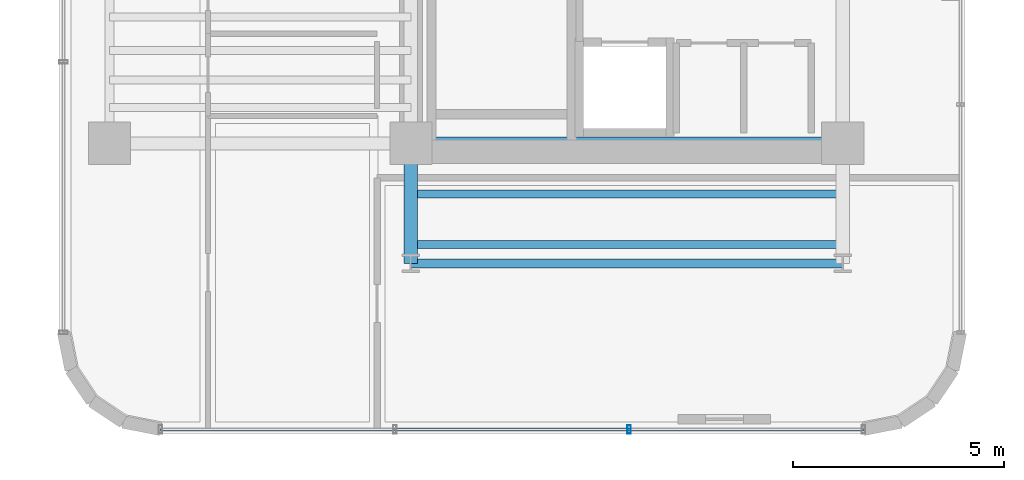
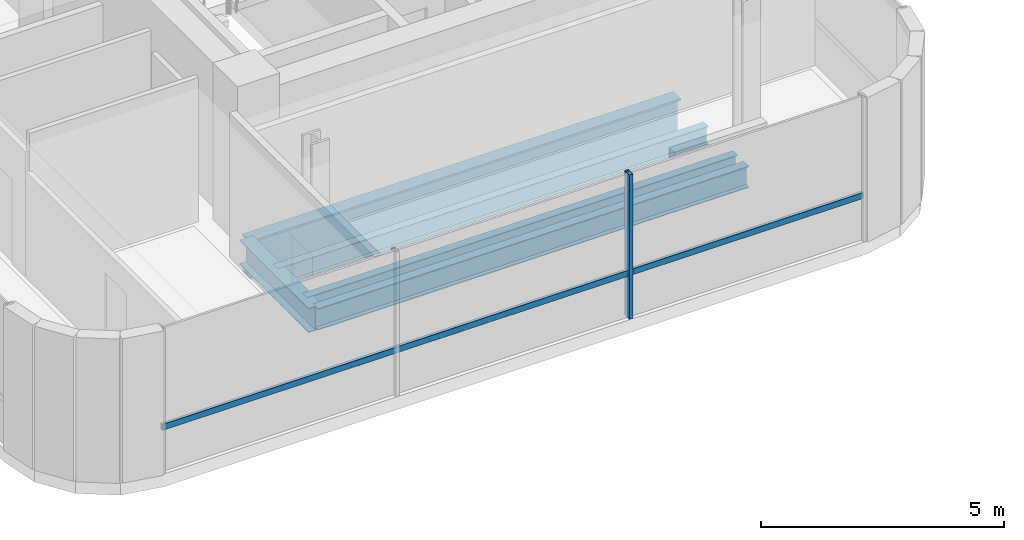
# One storey, part 3 of 39: 5 beams, 2 members, 1 element without a shape of its own.
"""IFC4 building model written with IfcOpenShell, lengths in metres."""

from ifc_helpers import new_model, si_unit, direction, frame, origin, origin_2d, place, context, subcontext, project, spatial, hollow_rectangle, i_section, extrude, source, transform, mapped, material, material_profile, profile_set, type_object, element, aggregate, save


model = new_model("IFC4")

# Units and contexts
model_context = context("Model", 3, precision=1e-05, world=origin(), true_north=direction((0.0, 1.0)))
body_context = subcontext(model_context, "Body", "Model", "MODEL_VIEW")
ifc_project = project(units=[si_unit("LENGTHUNIT", "METRE"), si_unit("AREAUNIT", "SQUARE_METRE"), si_unit("VOLUMEUNIT", "CUBIC_METRE"), si_unit("PLANEANGLEUNIT", "RADIAN"), si_unit("MASSUNIT", "GRAM", prefix="KILO")], contexts=[model_context])

# Site, building, storey
site_placement = place(None, origin())
site = spatial("IfcSite", under=ifc_project, at=site_placement, CompositionType="ELEMENT")
building_placement = place(site_placement, origin())
building = spatial("IfcBuilding", under=site, at=building_placement, Name="Valdorenza Pilgrim Sanctuary Tower", CompositionType="ELEMENT")
storey_placement = place(building_placement, frame((0.0, 0.0, 184.449951171875)))
storey = spatial("IfcBuildingStorey", under=building, at=storey_placement, Name="L47", CompositionType="ELEMENT", Elevation=184.449951171875)

# Beams
ifc_material_1 = material(Name="Steel ASTM A992 Grade 50", Category="steel")
ifc_material_profile_1 = material_profile(ifc_material_1, i_section(OverallWidth=0.323974609375, OverallDepth=0.611083984375, WebThickness=0.0126953125, FlangeThickness=0.01904296875, at=origin_2d()), Name="W24X104")
ifc_profile_set_1 = profile_set([ifc_material_profile_1], Name="Steel ASTM A992 Grade 50")
beam_type_1 = type_object("IfcBeamType", Name="STR-BM-GRD-W24B", PredefinedType="BEAM", material=ifc_profile_set_1)
shared_shape_1 = source(origin(), body_context, "Body", "SweptSolid", [
    extrude(i_section(OverallWidth=0.323974609375, OverallDepth=0.611083984375, WebThickness=0.0126953125, FlangeThickness=0.01904296875, at=origin_2d()), origin(), (0.0, 0.0, 1.0), 2.849853515625),
])
beam_1_placement = place(storey_placement, frame((-22.64990234375, -13.449951171875, -0.62548828125), z_axis=(0.0, 1.0, 0.0), x_axis=(-1.0, 0.0, 0.0)))
element("IfcBeam", 1, at=beam_1_placement, inside=storey, type_object=beam_type_1, Name="L47 Floor Girder WA-S-LW", PredefinedType="BEAM", context=body_context, shape_type="MappedRepresentation", body=[
    mapped(shared_shape_1, transform((0.0, 0.0, 0.0), x_axis=(1.0, 0.0, 0.0), y_axis=(0.0, 1.0, 0.0), z_axis=(0.0, 0.0, 1.0), scale=1.0)),
])
ifc_material_profile_2 = material_profile(ifc_material_1, i_section(OverallWidth=0.19091796875, OverallDepth=0.45703125, WebThickness=0.009033203125, FlangeThickness=0.014404296875, at=origin_2d()), Name="W18X50")
ifc_profile_set_2 = profile_set([ifc_material_profile_2], Name="Steel ASTM A992 Grade 50")
beam_type_2 = type_object("IfcBeamType", Name="STR-BM-JST-W18B", PredefinedType="JOIST", material=ifc_profile_set_2)
shared_shape_2 = source(origin(), body_context, "Body", "SweptSolid", [
    extrude(i_section(OverallWidth=0.19091796875, OverallDepth=0.45703125, WebThickness=0.009033203125, FlangeThickness=0.014404296875, at=origin_2d()), origin(), (0.0, 0.0, 1.0), 10.25),
])
for number, where, z_axis, x_axis, name in (
    (2, (-22.64990234375, -13.0, -0.54833984375), (1.0, 0.0, 0.0), (0.0, 1.0, 0.0), "L47 Composite Floor Joist JST-WAS-1"),
    (3, (-22.64990234375, -11.800048828125, -0.54833984375), (1.0, 0.0, 0.0), (0.0, 1.0, 0.0), "L47 Composite Floor Joist JST-WAS-2"),
):
    element("IfcBeam", number, at=place(storey_placement, frame(where, z_axis=z_axis, x_axis=x_axis)), inside=storey, type_object=beam_type_2, Name=name, PredefinedType="JOIST", context=body_context, shape_type="MappedRepresentation", body=[
        mapped(shared_shape_2, transform((0.0, 0.0, 0.0), x_axis=(1.0, 0.0, 0.0), y_axis=(0.0, 1.0, 0.0), z_axis=(0.0, 0.0, 1.0), scale=1.0)),
    ])
ifc_material_profile_3 = material_profile(ifc_material_1, i_section(OverallWidth=0.2109375, OverallDepth=0.5390625, WebThickness=0.01171875, FlangeThickness=0.018798828125, at=origin_2d()), Name="W21X73")
ifc_profile_set_3 = profile_set([ifc_material_profile_3], Name="Steel ASTM A992 Grade 50")
beam_type_3 = type_object("IfcBeamType", Name="STR-BM-SPN-W21B", PredefinedType="SPANDREL", material=ifc_profile_set_3)
shared_shape_3 = source(origin(), body_context, "Body", "SweptSolid", [
    extrude(i_section(OverallWidth=0.2109375, OverallDepth=0.5390625, WebThickness=0.01171875, FlangeThickness=0.018798828125, at=origin_2d()), origin(), (0.0, 0.0, 1.0), 10.25),
])
beam_2_placement = place(storey_placement, frame((-22.64990234375, -13.449951171875, -0.58935546875), z_axis=(1.0, 0.0, 0.0), x_axis=(0.0, 1.0, 0.0)))
element("IfcBeam", 4, at=beam_2_placement, inside=storey, type_object=beam_type_3, Name="L47 South Spandrel WA-S-TIE", PredefinedType="SPANDREL", context=body_context, shape_type="MappedRepresentation", body=[
    mapped(shared_shape_3, transform((0.0, 0.0, 0.0), x_axis=(1.0, 0.0, 0.0), y_axis=(0.0, 1.0, 0.0), z_axis=(0.0, 0.0, 1.0), scale=1.0)),
])
ifc_material_profile_4 = material_profile(ifc_material_1, i_section(OverallWidth=0.31005859375, OverallDepth=0.949951171875, WebThickness=0.0244140625, FlangeThickness=0.0439453125, at=origin_2d()), Name="W36X256")
ifc_profile_set_4 = profile_set([ifc_material_profile_4], Name="Steel ASTM A992 Grade 50")
beam_type_4 = type_object("IfcBeamType", Name="STR-BM-GRD-W36B", PredefinedType="BEAM", material=ifc_profile_set_4)
shared_shape_4 = source(origin(), body_context, "Body", "SweptSolid", [
    extrude(i_section(OverallWidth=0.31005859375, OverallDepth=0.949951171875, WebThickness=0.0244140625, FlangeThickness=0.0439453125, at=origin_2d()), origin(), (0.0, 0.0, 1.0), 10.25),
])
beam_3_placement = place(storey_placement, frame((-22.64990234375, -10.60009765625, -0.794921875), z_axis=(1.0, 0.0, 0.0), x_axis=(0.0, 1.0, 0.0)))
element("IfcBeam", 5, at=beam_3_placement, inside=storey, type_object=beam_type_4, Name="L47 Floor Girder CA-XC-S1", PredefinedType="BEAM", context=body_context, shape_type="MappedRepresentation", body=[
    mapped(shared_shape_4, transform((0.0, 0.0, 0.0), x_axis=(1.0, 0.0, 0.0), y_axis=(0.0, 1.0, 0.0), z_axis=(0.0, 0.0, 1.0), scale=1.0)),
])

# Curtain wall, members
ifc_material_2 = material(Name="Curtain-wall IGU glazing", Category="glass")
curtain_wall_type = type_object("IfcCurtainWallType", Name="CW-SYS-02", PredefinedType="NOTDEFINED", material=ifc_material_2)
curtain_wall_placement = place(storey_placement, origin())
curtain_wall = element("IfcCurtainWall", 6, at=curtain_wall_placement, inside=storey, type_object=curtain_wall_type, Name="L47 Curtain Wall CW-L47-1-82", PredefinedType="NOTDEFINED")
ifc_material_3 = material(Name="Anodised aluminium AW-6060", Category="aluminium")
ifc_material_profile_5 = material_profile(ifc_material_3, hollow_rectangle(XDim=0.074951171875, YDim=0.14990234375, WallThickness=0.00390625, at=origin_2d()), Name="ALU-T 150x75x4")
ifc_profile_set_5 = profile_set([ifc_material_profile_5], Name="Anodised aluminium AW-6060")
member_type_1 = type_object("IfcMemberType", Name="CW-TRN-02", PredefinedType="USERDEFINED", material=ifc_profile_set_5)
shared_shape_5 = source(origin(), body_context, "Body", "SweptSolid", [
    extrude(hollow_rectangle(XDim=0.074951171875, YDim=0.14990234375, WallThickness=0.00390625, at=origin_2d()), origin(), (0.0, 0.0, 1.0), 16.67822265625),
])
member_1_placement = place(storey_placement, frame((-11.910888671875, -17.389892578125, 1.1201171875), z_axis=(-1.0, 0.0, 0.0), x_axis=(0.0, -1.0, 0.0)))
member_1 = element("IfcMember", 7, at=member_1_placement, type_object=member_type_1, Name="CW-L47-1-82 Transom 1", ObjectType="TRANSOM", PredefinedType="USERDEFINED", context=body_context, shape_type="MappedRepresentation", body=[
    mapped(shared_shape_5, transform((0.0, 0.0, 0.0), x_axis=(1.0, 0.0, 0.0), y_axis=(0.0, 1.0, 0.0), z_axis=(0.0, 0.0, 1.0), scale=1.0)),
])
ifc_material_profile_6 = material_profile(ifc_material_3, hollow_rectangle(XDim=0.0849609375, YDim=0.199951171875, WallThickness=0.0048828125, at=origin_2d()), Name="ALU-M 200x85x5")
ifc_profile_set_6 = profile_set([ifc_material_profile_6], Name="Anodised aluminium AW-6060")
member_type_2 = type_object("IfcMemberType", Name="CW-MUL-02", PredefinedType="MULLION", material=ifc_profile_set_6)
shared_shape_6 = source(origin(), body_context, "Body", "SweptSolid", [
    extrude(hollow_rectangle(XDim=0.0849609375, YDim=0.199951171875, WallThickness=0.0048828125, at=origin_2d()), origin(), (0.0, 0.0, 1.0), 3.630126953125),
])
member_2_placement = place(storey_placement, frame((-17.47021484375, -17.389892578125, 0.0), z_axis=(0.0, 0.0, 1.0), x_axis=(-1.0, 0.0, 0.0)))
member_2 = element("IfcMember", 8, at=member_2_placement, type_object=member_type_2, Name="CW-L47-1-82 Mullion 2", PredefinedType="MULLION", context=body_context, shape_type="MappedRepresentation", body=[
    mapped(shared_shape_6, transform((0.0, 0.0, 0.0), x_axis=(1.0, 0.0, 0.0), y_axis=(0.0, 1.0, 0.0), z_axis=(0.0, 0.0, 1.0), scale=1.0)),
])
aggregate(curtain_wall, [member_2, member_1])

save(model, "model.ifc")
